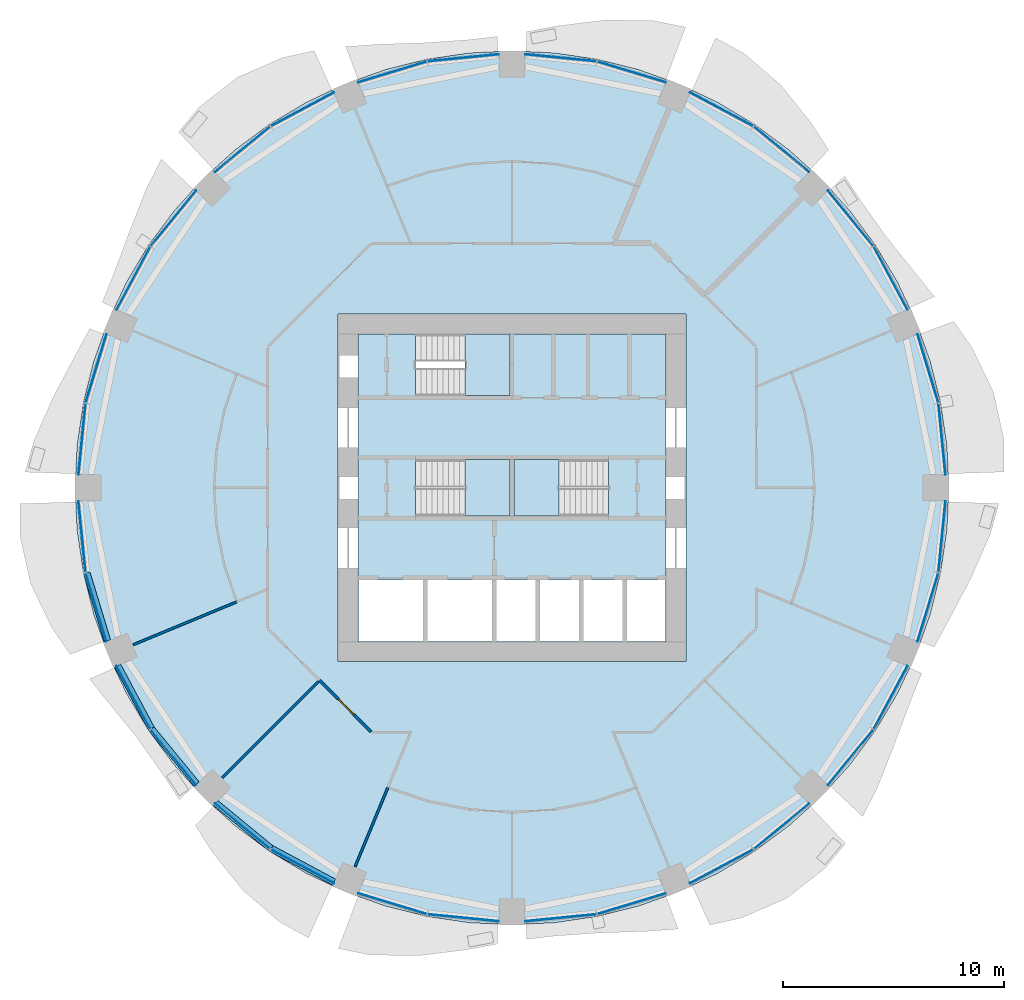
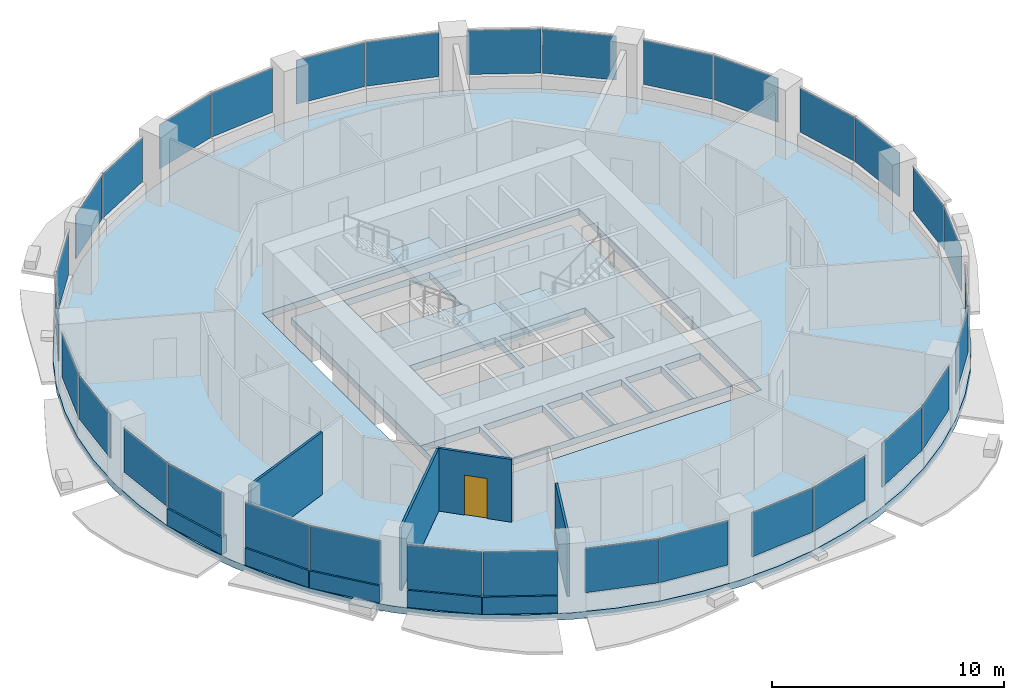
# One storey, part 7 of 15: 32 plates, 9 walls, 5 slabs, 1 door, 1 opening, 19 elements without a shape of their own.
"""IFC4 building model written with IfcOpenShell, lengths in metres."""

from ifc_helpers import new_model, si_unit, direction, frame, frame_2d, origin, origin_2d, place, context, subcontext, project, spatial, polyline, rectangle, outline, extrude, material, layer, layer_set, type_object, element, fill, aggregate, save


model = new_model("IFC4")

# Units and contexts
model_context = context("Model", 3, precision=1e-05, world=origin(), true_north=direction((0.0, 1.0)))
body_context = subcontext(model_context, "Body", "Model", "MODEL_VIEW")
ifc_project = project(units=[si_unit("LENGTHUNIT", "METRE"), si_unit("AREAUNIT", "SQUARE_METRE"), si_unit("VOLUMEUNIT", "CUBIC_METRE"), si_unit("PLANEANGLEUNIT", "RADIAN"), si_unit("MASSUNIT", "GRAM", prefix="KILO")], contexts=[model_context])

# Site, building, storey
site_placement = place(None, origin())
site = spatial("IfcSite", under=ifc_project, at=site_placement, CompositionType="ELEMENT")
building_placement = place(site_placement, origin())
building = spatial("IfcBuilding", under=site, at=building_placement, Name="Polderwave Tower", CompositionType="ELEMENT")
storey_placement = place(building_placement, frame((0.0, 0.0, 29.85009765625)))
storey = spatial("IfcBuildingStorey", under=building, at=storey_placement, Name="L07", CompositionType="ELEMENT", Elevation=29.85009765625)

# Slab
ifc_material_1 = material(Name="Concrete C40/50", Category="concrete")
ifc_layer_1 = layer(ifc_material_1, 0.35009765625)
ifc_layer_set_1 = layer_set([ifc_layer_1], Name="Core floor slab 350")
slab_type_1 = type_object("IfcSlabType", Name="Core floor slab 350", PredefinedType="FLOOR", material=ifc_layer_set_1)
slab_1_placement = place(storey_placement, frame((0.0, 0.0, -0.35009765625)))
element("IfcSlab", 1, at=slab_1_placement, inside=storey, type_object=slab_type_1, Name="L07 core floor", PredefinedType="FLOOR", context=body_context, shape_type="SweptSolid", body=[
    extrude(outline(polyline([(-6.97412109375, -6.97412109375), (6.97412109375, -6.97412109375), (6.97412109375, 6.97412109375), (-6.97412109375, 6.97412109375), (-6.97412109375, -6.97412109375)]), holes=[polyline([(-6.9541015625, -6.9541015625), (-4.037109375, -6.9541015625), (-4.037109375, -4.174072265625), (-6.9541015625, -4.174072265625), (-6.9541015625, -6.9541015625)]), polyline([(-3.8369140625, -6.9541015625), (-0.89990234375, -6.9541015625), (-0.89990234375, -4.174072265625), (-3.8369140625, -4.174072265625), (-3.8369140625, -6.9541015625)]), polyline([(-0.699951171875, -6.9541015625), (1.068603515625, -6.9541015625), (1.068603515625, -4.174072265625), (-0.699951171875, -4.174072265625), (-0.699951171875, -6.9541015625)]), polyline([(1.2685546875, -6.9541015625), (3.037109375, -6.9541015625), (3.037109375, -4.174072265625), (1.2685546875, -4.174072265625), (1.2685546875, -6.9541015625)]), polyline([(3.237060546875, -6.9541015625), (5.005615234375, -6.9541015625), (5.005615234375, -4.174072265625), (3.237060546875, -4.174072265625), (3.237060546875, -6.9541015625)]), polyline([(5.20556640625, -6.9541015625), (6.9541015625, -6.9541015625), (6.9541015625, -4.174072265625), (5.20556640625, -4.174072265625), (5.20556640625, -6.9541015625)]), polyline([(-4.37353515625, -1.2744140625), (-0.1005859375, -1.2744140625), (-0.1005859375, 1.2744140625), (-4.37353515625, 1.2744140625), (-4.37353515625, -1.2744140625)]), polyline([(0.1005859375, -1.2744140625), (4.37353515625, -1.2744140625), (4.37353515625, 1.2744140625), (0.1005859375, 1.2744140625), (0.1005859375, -1.2744140625)]), polyline([(-4.37353515625, 4.174560546875), (-0.1005859375, 4.174560546875), (-0.1005859375, 6.9541015625), (-4.37353515625, 6.9541015625), (-4.37353515625, 4.174560546875)])]), origin(), (0.0, 0.0, 1.0), 0.35009765625),
])

# Curtain wall, plates
ifc_material_2 = material(Name="Aluminium 6063-T6 and glass", Category="aluminium")
curtain_wall_type = type_object("IfcCurtainWallType", Name="Growing floor ribbon glazing wall", PredefinedType="NOTDEFINED", material=ifc_material_2)
curtain_wall_1_placement = place(storey_placement, origin())
curtain_wall_1 = element("IfcCurtainWall", 2, at=curtain_wall_1_placement, inside=storey, type_object=curtain_wall_type, Name="CW2 L07 00", PredefinedType="NOTDEFINED")
ifc_material_3 = material(Name="Glass, low-e laminated double glazing", Category="glass")
ifc_layer_2 = layer(ifc_material_3, 0.028076171875)
ifc_layer_set_2 = layer_set([ifc_layer_2], Name="Growing floor ribbon glazing glass panel 28 mm")
plate_type = type_object("IfcPlateType", Name="Growing floor ribbon glazing glass panel 28 mm", PredefinedType="CURTAIN_PANEL", material=ifc_layer_set_2)
plate_1_placement = place(storey_placement, frame((19.482421875, 2.20654296875, 0.89990234375), z_axis=(0.0, 0.0, 1.0), x_axis=(-0.098197778915, 0.995166918771, 0.0)))
plate_1 = element("IfcPlate", 3, at=plate_1_placement, type_object=plate_type, Name="CW2 panel 1", PredefinedType="CURTAIN_PANEL", context=body_context, shape_type="SweptSolid", body=[
    extrude(rectangle(XDim=3.228759765625, YDim=0.028076171875, at=origin_2d()), origin(), (0.0, 0.0, 1.0), 2.320068359375),
])
plate_2_placement = place(storey_placement, frame((18.843505859375, 5.4169921875, 0.89990234375), z_axis=(0.0, 0.0, 1.0), x_axis=(-0.290246262973, 0.956951987735, 0.0)))
plate_2 = element("IfcPlate", 4, at=plate_2_placement, type_object=plate_type, Name="CW2 panel 2", PredefinedType="CURTAIN_PANEL", context=body_context, shape_type="SweptSolid", body=[
    extrude(rectangle(XDim=3.229248046875, YDim=0.028076171875, at=origin_2d()), origin(), (0.0, 0.0, 1.0), 2.320068359375),
])
aggregate(curtain_wall_1, [plate_1, plate_2])

curtain_wall_2_placement = place(storey_placement, origin())
curtain_wall_2 = element("IfcCurtainWall", 5, at=curtain_wall_2_placement, inside=storey, type_object=curtain_wall_type, Name="CW2 L07 01", PredefinedType="NOTDEFINED")
plate_3_placement = place(storey_placement, frame((17.155029296875, 9.494873046875, 0.89990234375), z_axis=(0.0, 0.0, 1.0), x_axis=(-0.471352098176, 0.881945122752, 0.0)))
plate_3 = element("IfcPlate", 6, at=plate_3_placement, type_object=plate_type, Name="CW2 panel 1", PredefinedType="CURTAIN_PANEL", context=body_context, shape_type="SweptSolid", body=[
    extrude(rectangle(XDim=3.228759765625, YDim=0.028076171875, at=origin_2d()), origin(), (0.0, 0.0, 1.0), 2.320068359375),
])
plate_4_placement = place(storey_placement, frame((15.33642578125, 12.216064453125, 0.89990234375), z_axis=(0.0, 0.0, 1.0), x_axis=(-0.634524143374, 0.772903041445, 0.0)))
plate_4 = element("IfcPlate", 7, at=plate_4_placement, type_object=plate_type, Name="CW2 panel 2", PredefinedType="CURTAIN_PANEL", context=body_context, shape_type="SweptSolid", body=[
    extrude(rectangle(XDim=3.22900390625, YDim=0.028076171875, at=origin_2d()), origin(), (0.0, 0.0, 1.0), 2.320068359375),
])
aggregate(curtain_wall_2, [plate_3, plate_4])

curtain_wall_3_placement = place(storey_placement, origin())
curtain_wall_3 = element("IfcCurtainWall", 8, at=curtain_wall_3_placement, inside=storey, type_object=curtain_wall_type, Name="CW2 L07 02", PredefinedType="NOTDEFINED")
plate_5_placement = place(storey_placement, frame((12.216064453125, 15.33642578125, 0.89990234375), z_axis=(0.0, 0.0, 1.0), x_axis=(-0.772903041445, 0.634524143374, 0.0)))
plate_5 = element("IfcPlate", 9, at=plate_5_placement, type_object=plate_type, Name="CW2 panel 1", PredefinedType="CURTAIN_PANEL", context=body_context, shape_type="SweptSolid", body=[
    extrude(rectangle(XDim=3.22900390625, YDim=0.028076171875, at=origin_2d()), origin(), (0.0, 0.0, 1.0), 2.320068359375),
])
plate_6_placement = place(storey_placement, frame((9.494873046875, 17.155029296875, 0.89990234375), z_axis=(0.0, 0.0, 1.0), x_axis=(-0.881945122752, 0.471352098176, 0.0)))
plate_6 = element("IfcPlate", 10, at=plate_6_placement, type_object=plate_type, Name="CW2 panel 2", PredefinedType="CURTAIN_PANEL", context=body_context, shape_type="SweptSolid", body=[
    extrude(rectangle(XDim=3.228759765625, YDim=0.028076171875, at=origin_2d()), origin(), (0.0, 0.0, 1.0), 2.320068359375),
])
aggregate(curtain_wall_3, [plate_5, plate_6])

curtain_wall_4_placement = place(storey_placement, origin())
curtain_wall_4 = element("IfcCurtainWall", 11, at=curtain_wall_4_placement, inside=storey, type_object=curtain_wall_type, Name="CW2 L07 03", PredefinedType="NOTDEFINED")
plate_7_placement = place(storey_placement, frame((5.4169921875, 18.843505859375, 0.89990234375), z_axis=(0.0, 0.0, 1.0), x_axis=(-0.956951987735, 0.290246262973, 0.0)))
plate_7 = element("IfcPlate", 12, at=plate_7_placement, type_object=plate_type, Name="CW2 panel 1", PredefinedType="CURTAIN_PANEL", context=body_context, shape_type="SweptSolid", body=[
    extrude(rectangle(XDim=3.229248046875, YDim=0.028076171875, at=origin_2d()), origin(), (0.0, 0.0, 1.0), 2.320068359375),
])
plate_8_placement = place(storey_placement, frame((2.20654296875, 19.482421875, 0.89990234375), z_axis=(0.0, 0.0, 1.0), x_axis=(-0.995166918771, 0.098197778915, 0.0)))
plate_8 = element("IfcPlate", 13, at=plate_8_placement, type_object=plate_type, Name="CW2 panel 2", PredefinedType="CURTAIN_PANEL", context=body_context, shape_type="SweptSolid", body=[
    extrude(rectangle(XDim=3.228759765625, YDim=0.028076171875, at=origin_2d()), origin(), (0.0, 0.0, 1.0), 2.320068359375),
])
aggregate(curtain_wall_4, [plate_7, plate_8])

curtain_wall_5_placement = place(storey_placement, origin())
curtain_wall_5 = element("IfcCurtainWall", 14, at=curtain_wall_5_placement, inside=storey, type_object=curtain_wall_type, Name="CW2 L07 04", PredefinedType="NOTDEFINED")
plate_9_placement = place(storey_placement, frame((-2.20654296875, 19.482421875, 0.89990234375), z_axis=(0.0, 0.0, 1.0), x_axis=(-0.995166918771, -0.098197778915, 0.0)))
plate_9 = element("IfcPlate", 15, at=plate_9_placement, type_object=plate_type, Name="CW2 panel 1", PredefinedType="CURTAIN_PANEL", context=body_context, shape_type="SweptSolid", body=[
    extrude(rectangle(XDim=3.228759765625, YDim=0.028076171875, at=origin_2d()), origin(), (0.0, 0.0, 1.0), 2.320068359375),
])
plate_10_placement = place(storey_placement, frame((-5.4169921875, 18.843505859375, 0.89990234375), z_axis=(0.0, 0.0, 1.0), x_axis=(-0.956951987735, -0.290246262973, 0.0)))
plate_10 = element("IfcPlate", 16, at=plate_10_placement, type_object=plate_type, Name="CW2 panel 2", PredefinedType="CURTAIN_PANEL", context=body_context, shape_type="SweptSolid", body=[
    extrude(rectangle(XDim=3.229248046875, YDim=0.028076171875, at=origin_2d()), origin(), (0.0, 0.0, 1.0), 2.320068359375),
])
aggregate(curtain_wall_5, [plate_9, plate_10])

curtain_wall_6_placement = place(storey_placement, origin())
curtain_wall_6 = element("IfcCurtainWall", 17, at=curtain_wall_6_placement, inside=storey, type_object=curtain_wall_type, Name="CW2 L07 05", PredefinedType="NOTDEFINED")
plate_11_placement = place(storey_placement, frame((-9.494873046875, 17.155029296875, 0.89990234375), z_axis=(0.0, 0.0, 1.0), x_axis=(-0.881945122752, -0.471352098176, 0.0)))
plate_11 = element("IfcPlate", 18, at=plate_11_placement, type_object=plate_type, Name="CW2 panel 1", PredefinedType="CURTAIN_PANEL", context=body_context, shape_type="SweptSolid", body=[
    extrude(rectangle(XDim=3.228759765625, YDim=0.028076171875, at=origin_2d()), origin(), (0.0, 0.0, 1.0), 2.320068359375),
])
plate_12_placement = place(storey_placement, frame((-12.216064453125, 15.33642578125, 0.89990234375), z_axis=(0.0, 0.0, 1.0), x_axis=(-0.772903041445, -0.634524143374, 0.0)))
plate_12 = element("IfcPlate", 19, at=plate_12_placement, type_object=plate_type, Name="CW2 panel 2", PredefinedType="CURTAIN_PANEL", context=body_context, shape_type="SweptSolid", body=[
    extrude(rectangle(XDim=3.22900390625, YDim=0.028076171875, at=origin_2d()), origin(), (0.0, 0.0, 1.0), 2.320068359375),
])
aggregate(curtain_wall_6, [plate_11, plate_12])

curtain_wall_7_placement = place(storey_placement, origin())
curtain_wall_7 = element("IfcCurtainWall", 20, at=curtain_wall_7_placement, inside=storey, type_object=curtain_wall_type, Name="CW2 L07 06", PredefinedType="NOTDEFINED")
plate_13_placement = place(storey_placement, frame((-15.33642578125, 12.216064453125, 0.89990234375), z_axis=(0.0, 0.0, 1.0), x_axis=(-0.634524143374, -0.772903041445, 0.0)))
plate_13 = element("IfcPlate", 21, at=plate_13_placement, type_object=plate_type, Name="CW2 panel 1", PredefinedType="CURTAIN_PANEL", context=body_context, shape_type="SweptSolid", body=[
    extrude(rectangle(XDim=3.22900390625, YDim=0.028076171875, at=origin_2d()), origin(), (0.0, 0.0, 1.0), 2.320068359375),
])
plate_14_placement = place(storey_placement, frame((-17.155029296875, 9.494873046875, 0.89990234375), z_axis=(0.0, 0.0, 1.0), x_axis=(-0.471352098176, -0.881945122752, 0.0)))
plate_14 = element("IfcPlate", 22, at=plate_14_placement, type_object=plate_type, Name="CW2 panel 2", PredefinedType="CURTAIN_PANEL", context=body_context, shape_type="SweptSolid", body=[
    extrude(rectangle(XDim=3.228759765625, YDim=0.028076171875, at=origin_2d()), origin(), (0.0, 0.0, 1.0), 2.320068359375),
])
aggregate(curtain_wall_7, [plate_13, plate_14])

curtain_wall_8_placement = place(storey_placement, origin())
curtain_wall_8 = element("IfcCurtainWall", 23, at=curtain_wall_8_placement, inside=storey, type_object=curtain_wall_type, Name="CW2 L07 07", PredefinedType="NOTDEFINED")
plate_15_placement = place(storey_placement, frame((-18.843505859375, 5.4169921875, 0.89990234375), z_axis=(0.0, 0.0, 1.0), x_axis=(-0.290246262973, -0.956951987735, 0.0)))
plate_15 = element("IfcPlate", 24, at=plate_15_placement, type_object=plate_type, Name="CW2 panel 1", PredefinedType="CURTAIN_PANEL", context=body_context, shape_type="SweptSolid", body=[
    extrude(rectangle(XDim=3.229248046875, YDim=0.028076171875, at=origin_2d()), origin(), (0.0, 0.0, 1.0), 2.320068359375),
])
plate_16_placement = place(storey_placement, frame((-19.482421875, 2.20654296875, 0.89990234375), z_axis=(0.0, 0.0, 1.0), x_axis=(-0.098197778915, -0.995166918771, 0.0)))
plate_16 = element("IfcPlate", 25, at=plate_16_placement, type_object=plate_type, Name="CW2 panel 2", PredefinedType="CURTAIN_PANEL", context=body_context, shape_type="SweptSolid", body=[
    extrude(rectangle(XDim=3.228759765625, YDim=0.028076171875, at=origin_2d()), origin(), (0.0, 0.0, 1.0), 2.320068359375),
])
aggregate(curtain_wall_8, [plate_15, plate_16])

curtain_wall_9_placement = place(storey_placement, origin())
curtain_wall_9 = element("IfcCurtainWall", 26, at=curtain_wall_9_placement, inside=storey, type_object=curtain_wall_type, Name="CW2 L07 08", PredefinedType="NOTDEFINED")
plate_17_placement = place(storey_placement, frame((-19.482421875, -2.20654296875, 0.89990234375), z_axis=(0.0, 0.0, 1.0), x_axis=(0.098197778915, -0.995166918771, 0.0)))
plate_17 = element("IfcPlate", 27, at=plate_17_placement, type_object=plate_type, Name="CW2 panel 1", PredefinedType="CURTAIN_PANEL", context=body_context, shape_type="SweptSolid", body=[
    extrude(rectangle(XDim=3.228759765625, YDim=0.028076171875, at=origin_2d()), origin(), (0.0, 0.0, 1.0), 2.320068359375),
])
plate_18_placement = place(storey_placement, frame((-18.843505859375, -5.4169921875, 0.89990234375), z_axis=(0.0, 0.0, 1.0), x_axis=(0.290246262973, -0.956951987735, 0.0)))
plate_18 = element("IfcPlate", 28, at=plate_18_placement, type_object=plate_type, Name="CW2 panel 2", PredefinedType="CURTAIN_PANEL", context=body_context, shape_type="SweptSolid", body=[
    extrude(rectangle(XDim=3.229248046875, YDim=0.028076171875, at=origin_2d()), origin(), (0.0, 0.0, 1.0), 2.320068359375),
])
aggregate(curtain_wall_9, [plate_17, plate_18])

curtain_wall_10_placement = place(storey_placement, origin())
curtain_wall_10 = element("IfcCurtainWall", 29, at=curtain_wall_10_placement, inside=storey, type_object=curtain_wall_type, Name="CW2 L07 09", PredefinedType="NOTDEFINED")
plate_19_placement = place(storey_placement, frame((-17.155029296875, -9.494873046875, 0.89990234375), z_axis=(0.0, 0.0, 1.0), x_axis=(0.471352098176, -0.881945122752, 0.0)))
plate_19 = element("IfcPlate", 30, at=plate_19_placement, type_object=plate_type, Name="CW2 panel 1", PredefinedType="CURTAIN_PANEL", context=body_context, shape_type="SweptSolid", body=[
    extrude(rectangle(XDim=3.228759765625, YDim=0.028076171875, at=origin_2d()), origin(), (0.0, 0.0, 1.0), 2.320068359375),
])
plate_20_placement = place(storey_placement, frame((-15.33642578125, -12.216064453125, 0.89990234375), z_axis=(0.0, 0.0, 1.0), x_axis=(0.634524143374, -0.772903041445, 0.0)))
plate_20 = element("IfcPlate", 31, at=plate_20_placement, type_object=plate_type, Name="CW2 panel 2", PredefinedType="CURTAIN_PANEL", context=body_context, shape_type="SweptSolid", body=[
    extrude(rectangle(XDim=3.22900390625, YDim=0.028076171875, at=origin_2d()), origin(), (0.0, 0.0, 1.0), 2.320068359375),
])
aggregate(curtain_wall_10, [plate_19, plate_20])

curtain_wall_11_placement = place(storey_placement, origin())
curtain_wall_11 = element("IfcCurtainWall", 32, at=curtain_wall_11_placement, inside=storey, type_object=curtain_wall_type, Name="CW2 L07 10", PredefinedType="NOTDEFINED")
plate_21_placement = place(storey_placement, frame((-12.216064453125, -15.33642578125, 0.89990234375), z_axis=(0.0, 0.0, 1.0), x_axis=(0.772903041445, -0.634524143374, 0.0)))
plate_21 = element("IfcPlate", 33, at=plate_21_placement, type_object=plate_type, Name="CW2 panel 1", PredefinedType="CURTAIN_PANEL", context=body_context, shape_type="SweptSolid", body=[
    extrude(rectangle(XDim=3.22900390625, YDim=0.028076171875, at=origin_2d()), origin(), (0.0, 0.0, 1.0), 2.320068359375),
])
plate_22_placement = place(storey_placement, frame((-9.494873046875, -17.155029296875, 0.89990234375), z_axis=(0.0, 0.0, 1.0), x_axis=(0.881945122752, -0.471352098176, 0.0)))
plate_22 = element("IfcPlate", 34, at=plate_22_placement, type_object=plate_type, Name="CW2 panel 2", PredefinedType="CURTAIN_PANEL", context=body_context, shape_type="SweptSolid", body=[
    extrude(rectangle(XDim=3.228759765625, YDim=0.028076171875, at=origin_2d()), origin(), (0.0, 0.0, 1.0), 2.320068359375),
])
aggregate(curtain_wall_11, [plate_21, plate_22])

curtain_wall_12_placement = place(storey_placement, origin())
curtain_wall_12 = element("IfcCurtainWall", 35, at=curtain_wall_12_placement, inside=storey, type_object=curtain_wall_type, Name="CW2 L07 11", PredefinedType="NOTDEFINED")
plate_23_placement = place(storey_placement, frame((-5.4169921875, -18.843505859375, 0.89990234375), z_axis=(0.0, 0.0, 1.0), x_axis=(0.956951987735, -0.290246262973, 0.0)))
plate_23 = element("IfcPlate", 36, at=plate_23_placement, type_object=plate_type, Name="CW2 panel 1", PredefinedType="CURTAIN_PANEL", context=body_context, shape_type="SweptSolid", body=[
    extrude(rectangle(XDim=3.229248046875, YDim=0.028076171875, at=origin_2d()), origin(), (0.0, 0.0, 1.0), 2.320068359375),
])
plate_24_placement = place(storey_placement, frame((-2.20654296875, -19.482421875, 0.89990234375), z_axis=(0.0, 0.0, 1.0), x_axis=(0.995166918771, -0.098197778915, 0.0)))
plate_24 = element("IfcPlate", 37, at=plate_24_placement, type_object=plate_type, Name="CW2 panel 2", PredefinedType="CURTAIN_PANEL", context=body_context, shape_type="SweptSolid", body=[
    extrude(rectangle(XDim=3.228759765625, YDim=0.028076171875, at=origin_2d()), origin(), (0.0, 0.0, 1.0), 2.320068359375),
])
aggregate(curtain_wall_12, [plate_23, plate_24])

curtain_wall_13_placement = place(storey_placement, origin())
curtain_wall_13 = element("IfcCurtainWall", 38, at=curtain_wall_13_placement, inside=storey, type_object=curtain_wall_type, Name="CW2 L07 12", PredefinedType="NOTDEFINED")
plate_25_placement = place(storey_placement, frame((2.20654296875, -19.482421875, 0.89990234375), z_axis=(0.0, 0.0, 1.0), x_axis=(0.995166918771, 0.098197778915, 0.0)))
plate_25 = element("IfcPlate", 39, at=plate_25_placement, type_object=plate_type, Name="CW2 panel 1", PredefinedType="CURTAIN_PANEL", context=body_context, shape_type="SweptSolid", body=[
    extrude(rectangle(XDim=3.228759765625, YDim=0.028076171875, at=origin_2d()), origin(), (0.0, 0.0, 1.0), 2.320068359375),
])
plate_26_placement = place(storey_placement, frame((5.4169921875, -18.843505859375, 0.89990234375), z_axis=(0.0, 0.0, 1.0), x_axis=(0.956951987735, 0.290246262973, 0.0)))
plate_26 = element("IfcPlate", 40, at=plate_26_placement, type_object=plate_type, Name="CW2 panel 2", PredefinedType="CURTAIN_PANEL", context=body_context, shape_type="SweptSolid", body=[
    extrude(rectangle(XDim=3.229248046875, YDim=0.028076171875, at=origin_2d()), origin(), (0.0, 0.0, 1.0), 2.320068359375),
])
aggregate(curtain_wall_13, [plate_25, plate_26])

curtain_wall_14_placement = place(storey_placement, origin())
curtain_wall_14 = element("IfcCurtainWall", 41, at=curtain_wall_14_placement, inside=storey, type_object=curtain_wall_type, Name="CW2 L07 13", PredefinedType="NOTDEFINED")
plate_27_placement = place(storey_placement, frame((9.494873046875, -17.155029296875, 0.89990234375), z_axis=(0.0, 0.0, 1.0), x_axis=(0.881945122752, 0.471352098176, 0.0)))
plate_27 = element("IfcPlate", 42, at=plate_27_placement, type_object=plate_type, Name="CW2 panel 1", PredefinedType="CURTAIN_PANEL", context=body_context, shape_type="SweptSolid", body=[
    extrude(rectangle(XDim=3.228759765625, YDim=0.028076171875, at=origin_2d()), origin(), (0.0, 0.0, 1.0), 2.320068359375),
])
plate_28_placement = place(storey_placement, frame((12.216064453125, -15.33642578125, 0.89990234375), z_axis=(0.0, 0.0, 1.0), x_axis=(0.772903041445, 0.634524143374, 0.0)))
plate_28 = element("IfcPlate", 43, at=plate_28_placement, type_object=plate_type, Name="CW2 panel 2", PredefinedType="CURTAIN_PANEL", context=body_context, shape_type="SweptSolid", body=[
    extrude(rectangle(XDim=3.22900390625, YDim=0.028076171875, at=origin_2d()), origin(), (0.0, 0.0, 1.0), 2.320068359375),
])
aggregate(curtain_wall_14, [plate_27, plate_28])

curtain_wall_15_placement = place(storey_placement, origin())
curtain_wall_15 = element("IfcCurtainWall", 44, at=curtain_wall_15_placement, inside=storey, type_object=curtain_wall_type, Name="CW2 L07 14", PredefinedType="NOTDEFINED")
plate_29_placement = place(storey_placement, frame((15.33642578125, -12.216064453125, 0.89990234375), z_axis=(0.0, 0.0, 1.0), x_axis=(0.634524143374, 0.772903041445, 0.0)))
plate_29 = element("IfcPlate", 45, at=plate_29_placement, type_object=plate_type, Name="CW2 panel 1", PredefinedType="CURTAIN_PANEL", context=body_context, shape_type="SweptSolid", body=[
    extrude(rectangle(XDim=3.22900390625, YDim=0.028076171875, at=origin_2d()), origin(), (0.0, 0.0, 1.0), 2.320068359375),
])
plate_30_placement = place(storey_placement, frame((17.155029296875, -9.494873046875, 0.89990234375), z_axis=(0.0, 0.0, 1.0), x_axis=(0.471352098176, 0.881945122752, 0.0)))
plate_30 = element("IfcPlate", 46, at=plate_30_placement, type_object=plate_type, Name="CW2 panel 2", PredefinedType="CURTAIN_PANEL", context=body_context, shape_type="SweptSolid", body=[
    extrude(rectangle(XDim=3.228759765625, YDim=0.028076171875, at=origin_2d()), origin(), (0.0, 0.0, 1.0), 2.320068359375),
])
aggregate(curtain_wall_15, [plate_29, plate_30])

curtain_wall_16_placement = place(storey_placement, origin())
curtain_wall_16 = element("IfcCurtainWall", 47, at=curtain_wall_16_placement, inside=storey, type_object=curtain_wall_type, Name="CW2 L07 15", PredefinedType="NOTDEFINED")
plate_31_placement = place(storey_placement, frame((18.843505859375, -5.4169921875, 0.89990234375), z_axis=(0.0, 0.0, 1.0), x_axis=(0.290246262973, 0.956951987735, 0.0)))
plate_31 = element("IfcPlate", 48, at=plate_31_placement, type_object=plate_type, Name="CW2 panel 1", PredefinedType="CURTAIN_PANEL", context=body_context, shape_type="SweptSolid", body=[
    extrude(rectangle(XDim=3.229248046875, YDim=0.028076171875, at=origin_2d()), origin(), (0.0, 0.0, 1.0), 2.320068359375),
])
plate_32_placement = place(storey_placement, frame((19.482421875, -2.20654296875, 0.89990234375), z_axis=(0.0, 0.0, 1.0), x_axis=(0.098197778915, 0.995166918771, 0.0)))
plate_32 = element("IfcPlate", 49, at=plate_32_placement, type_object=plate_type, Name="CW2 panel 2", PredefinedType="CURTAIN_PANEL", context=body_context, shape_type="SweptSolid", body=[
    extrude(rectangle(XDim=3.228759765625, YDim=0.028076171875, at=origin_2d()), origin(), (0.0, 0.0, 1.0), 2.320068359375),
])
aggregate(curtain_wall_16, [plate_31, plate_32])

# Slab
ifc_layer_3 = layer(ifc_material_1, 0.35009765625)
ifc_layer_set_3 = layer_set([ifc_layer_3], Name="PT FLOOR SLAB 350 C40/50")
slab_type_2 = type_object("IfcSlabType", Name="PT FLOOR SLAB 350 C40/50", PredefinedType="FLOOR", material=ifc_layer_set_3)
slab_2_placement = place(storey_placement, frame((0.0, 0.0, -0.35009765625)))
element("IfcSlab", 50, at=slab_2_placement, inside=storey, type_object=slab_type_2, Name="ST-SLAB-L07", PredefinedType="FLOOR", context=body_context, shape_type="SweptSolid", body=[
    extrude(outline(polyline([(19.800048828125, 0.0), (19.70458984375, 1.940673828125), (19.41943359375, 3.86279296875), (18.947509765625, 5.74755859375), (18.292724609375, 7.5771484375), (17.4619140625, 9.333740234375), (16.463134765625, 11.000244140625), (15.3056640625, 12.56103515625), (14.000732421875, 14.000732421875), (12.56103515625, 15.3056640625), (11.000244140625, 16.463134765625), (9.333740234375, 17.4619140625), (7.5771484375, 18.292724609375), (5.74755859375, 18.947509765625), (3.86279296875, 19.41943359375), (1.940673828125, 19.70458984375), (0.0, 19.800048828125), (-1.940673828125, 19.70458984375), (-3.86279296875, 19.41943359375), (-5.74755859375, 18.947509765625), (-7.5771484375, 18.292724609375), (-9.333740234375, 17.4619140625), (-11.000244140625, 16.463134765625), (-12.56103515625, 15.3056640625), (-14.000732421875, 14.000732421875), (-15.3056640625, 12.56103515625), (-16.463134765625, 11.000244140625), (-17.4619140625, 9.333740234375), (-18.292724609375, 7.5771484375), (-18.947509765625, 5.74755859375), (-19.41943359375, 3.86279296875), (-19.70458984375, 1.940673828125), (-19.800048828125, 0.0), (-19.70458984375, -1.940673828125), (-19.41943359375, -3.86279296875), (-18.947509765625, -5.74755859375), (-18.292724609375, -7.5771484375), (-17.4619140625, -9.333740234375), (-16.463134765625, -11.000244140625), (-15.3056640625, -12.56103515625), (-14.000732421875, -14.000732421875), (-12.56103515625, -15.3056640625), (-11.000244140625, -16.463134765625), (-9.333740234375, -17.4619140625), (-7.5771484375, -18.292724609375), (-5.74755859375, -18.947509765625), (-3.86279296875, -19.41943359375), (-1.940673828125, -19.70458984375), (0.0, -19.800048828125), (1.940673828125, -19.70458984375), (3.86279296875, -19.41943359375), (5.74755859375, -18.947509765625), (7.5771484375, -18.292724609375), (9.333740234375, -17.4619140625), (11.000244140625, -16.463134765625), (12.56103515625, -15.3056640625), (14.000732421875, -14.000732421875), (15.3056640625, -12.56103515625), (16.463134765625, -11.000244140625), (17.4619140625, -9.333740234375), (18.292724609375, -7.5771484375), (18.947509765625, -5.74755859375), (19.41943359375, -3.86279296875), (19.70458984375, -1.940673828125), (19.800048828125, 0.0)]), holes=[polyline([(-7.8740234375, -7.8740234375), (7.8740234375, -7.8740234375), (7.8740234375, 7.8740234375), (-7.8740234375, 7.8740234375), (-7.8740234375, -7.8740234375)])]), origin(), (0.0, 0.0, 1.0), 0.35009765625),
])

# Stair, slab
stair_type = type_object("IfcStairType", Name="Exit stair 1200 x 20 risers", PredefinedType="HALF_TURN_STAIR", material=ifc_material_1)
stair_1_placement = place(storey_placement, origin())
stair_1 = element("IfcStair", 51, at=stair_1_placement, inside=storey, type_object=stair_type, Name="L07 Exit stair A", PredefinedType="HALF_TURN_STAIR")
ifc_layer_4 = layer(ifc_material_1, 0.300048828125)
ifc_layer_set_4 = layer_set([ifc_layer_4], Name="Stair landing 300")
slab_type_3 = type_object("IfcSlabType", Name="Stair landing 300", PredefinedType="LANDING", material=ifc_layer_set_4)
slab_3_placement = place(storey_placement, frame((0.0, 0.0, 1.52490234375)))
slab_3 = element("IfcSlab", 52, at=slab_3_placement, type_object=slab_type_3, Name="ST-A landing 1", PredefinedType="LANDING", context=body_context, shape_type="SweptSolid", body=[
    extrude(outline(polyline([(-2.1240234375, -1.27490234375), (-0.10009765625, -1.27490234375), (-0.10009765625, 1.27490234375), (-2.1240234375, 1.27490234375), (-2.1240234375, -1.27490234375)])), origin(), (0.0, 0.0, 1.0), 0.300048828125),
])
aggregate(stair_1, [slab_3])

stair_2_placement = place(storey_placement, origin())
stair_2 = element("IfcStair", 53, at=stair_2_placement, inside=storey, type_object=stair_type, Name="L07 Exit stair B", PredefinedType="HALF_TURN_STAIR")
slab_4_placement = place(storey_placement, frame((0.0, 0.0, 1.52490234375)))
slab_4 = element("IfcSlab", 54, at=slab_4_placement, type_object=slab_type_3, Name="ST-B landing 1", PredefinedType="LANDING", context=body_context, shape_type="SweptSolid", body=[
    extrude(outline(polyline([(2.1240234375, 1.27490234375), (0.10009765625, 1.27490234375), (0.10009765625, -1.27490234375), (2.1240234375, -1.27490234375), (2.1240234375, 1.27490234375)])), origin(), (0.0, 0.0, 1.0), 0.300048828125),
])
aggregate(stair_2, [slab_4])

stair_3_placement = place(storey_placement, origin())
stair_3 = element("IfcStair", 55, at=stair_3_placement, inside=storey, type_object=stair_type, Name="L07 Exit stair C", PredefinedType="HALF_TURN_STAIR")
slab_5_placement = place(storey_placement, frame((0.0, 0.0, 1.52490234375)))
slab_5 = element("IfcSlab", 56, at=slab_5_placement, type_object=slab_type_3, Name="ST-C landing 1", PredefinedType="LANDING", context=body_context, shape_type="SweptSolid", body=[
    extrude(outline(polyline([(-2.1240234375, 4.174072265625), (-0.10009765625, 4.174072265625), (-0.10009765625, 6.97412109375), (-2.1240234375, 6.97412109375), (-2.1240234375, 4.174072265625)])), origin(), (0.0, 0.0, 1.0), 0.300048828125),
])
aggregate(stair_3, [slab_5])

# Walls
ifc_material_4 = material(Name="Concrete C50/60 (board-marked)", Category="concrete")
ifc_layer_5 = layer(ifc_material_4, 0.300048828125)
ifc_layer_set_5 = layer_set([ifc_layer_5], Name="Concrete spandrel upstand C50/60")
wall_type_1 = type_object("IfcWallType", Name="Concrete spandrel upstand C50/60", PredefinedType="SOLIDWALL", material=ifc_layer_set_5)
wall_1_placement = place(storey_placement, frame((-19.267578125, -3.847412109375, 0.0), z_axis=(0.0, 0.0, 1.0), x_axis=(0.290301899131, -0.956935111364, 0.0)))
element("IfcWall", 57, at=wall_1_placement, inside=storey, type_object=wall_type_1, Name="Spandrel L07 9b", PredefinedType="SOLIDWALL", context=body_context, shape_type="SweptSolid", body=[
    extrude(rectangle(XDim=3.220947265625, YDim=0.300048828125, at=frame_2d((1.6103515625, 0.0))), origin(), (0.0, 0.0, 1.0), 0.89990234375),
])
wall_2_placement = place(storey_placement, frame((-17.86279296875, -8.063232421875, 0.0), z_axis=(0.0, 0.0, 1.0), x_axis=(0.471217656413, -0.882016961449, 0.0)))
element("IfcWall", 58, at=wall_2_placement, inside=storey, type_object=wall_type_1, Name="Spandrel L07 10a", PredefinedType="SOLIDWALL", context=body_context, shape_type="SweptSolid", body=[
    extrude(rectangle(XDim=3.220458984375, YDim=0.300048828125, at=frame_2d((1.6103515625, 0.0))), origin(), (0.0, 0.0, 1.0), 0.89990234375),
])
for number, where, z_axis, x_axis, name in (
    (59, (-16.32861328125, -10.9287109375, 0.0), (0.0, 0.0, 1.0), (0.634380496993, -0.773020947345, 0.0), "Spandrel L07 10b"),
    (60, (-13.41845703125, -14.285400390625, 0.0), (0.0, 0.0, 1.0), (0.773020947345, -0.634380496993, 0.0), "Spandrel L07 11a"),
):
    element("IfcWall", number, at=place(storey_placement, frame(where, z_axis=z_axis, x_axis=x_axis)), inside=storey, type_object=wall_type_1, Name=name, PredefinedType="SOLIDWALL", context=body_context, shape_type="SweptSolid", body=[
        extrude(rectangle(XDim=3.220703125, YDim=0.300048828125, at=frame_2d((1.6103515625, 0.0))), origin(), (0.0, 0.0, 1.0), 0.89990234375),
    ])
wall_3_placement = place(storey_placement, frame((-10.90380859375, -16.34521484375, 0.0), z_axis=(0.0, 0.0, 1.0), x_axis=(0.882016961449, -0.471217656413, 0.0)))
element("IfcWall", 61, at=wall_3_placement, inside=storey, type_object=wall_type_1, Name="Spandrel L07 11b", PredefinedType="SOLIDWALL", context=body_context, shape_type="SweptSolid", body=[
    extrude(rectangle(XDim=3.220458984375, YDim=0.300048828125, at=frame_2d((1.6103515625, 0.0))), origin(), (0.0, 0.0, 1.0), 0.89990234375),
])

# Wall, opening, door
ifc_material_5 = material(Name="Fire-resisting board on steel studs", Category="steel")
ifc_layer_6 = layer(ifc_material_5, 0.125)
ifc_layer_set_6 = layer_set([ifc_layer_6], Name="Corridor wall 125 mm EI 60")
wall_type_2 = type_object("IfcWallType", Name="Corridor wall 125 mm EI 60", PredefinedType="PARTITIONING", material=ifc_layer_set_6)
wall_4_placement = place(storey_placement, frame((-6.389404296875, -11.0556640625, 0.0), z_axis=(0.0, 0.0, 1.0), x_axis=(-0.707069784102, 0.707143776336, 0.0)))
wall_4 = element("IfcWall", 62, at=wall_4_placement, inside=storey, type_object=wall_type_2, Name="IN-L07-W018", PredefinedType="PARTITIONING", context=body_context, shape_type="SweptSolid", body=[
    extrude(rectangle(XDim=3.299560546875, YDim=0.125, at=frame_2d((1.64990234375, 0.0))), origin(), (0.0, 0.0, 1.0), 3.2998046875),
])
opening_placement = place(wall_4_placement, frame((1.10009765625, 0.0, 0.0)))
opening = element("IfcOpeningElement", 63, at=opening_placement, cuts=wall_4, Name="Opening L07-D60", PredefinedType="OPENING", context=body_context, shape_type="SweptSolid", body=[
    extrude(rectangle(XDim=1.0, YDim=2.10009765625, at=frame_2d((0.5, 1.050048828125))), frame((0.0, 0.072509765625, 0.0), z_axis=(0.0, -1.0, 0.0), x_axis=(1.0, 0.0, 0.0)), (0.0, 0.0, 1.0), 0.14501953125),
])
ifc_material_6 = material(Name="Timber fire door leaf", Category="wood")
door_type = type_object("IfcDoorType", Name="Fire door FD30S 1000 x 2100", OperationType="NOTDEFINED", PredefinedType="DOOR", material=ifc_material_6)
door_placement = place(opening_placement, origin())
door = element("IfcDoor", 64, at=door_placement, inside=storey, type_object=door_type, Name="Door L07-D60", OperationType="SINGLE_SWING_LEFT", OverallHeight=2.10009765625, OverallWidth=1.0, PredefinedType="DOOR", context=body_context, shape_type="SweptSolid", body=[
    extrude(rectangle(XDim=1.0, YDim=2.10009765625, at=frame_2d((0.5, 1.050048828125))), frame((0.0, 0.02490234375, 0.0), z_axis=(0.0, -1.0, 0.0), x_axis=(1.0, 0.0, 0.0)), (0.0, 0.0, 1.0), 0.050048828125),
])
fill(opening, door)

# Walls
ifc_material_7 = material(Name="Acoustic double plasterboard on steel studs", Category="steel")
ifc_layer_7 = layer(ifc_material_7, 0.110107421875)
ifc_layer_set_7 = layer_set([ifc_layer_7], Name="Partition 110 mm acoustic double board")
wall_type_3 = type_object("IfcWallType", Name="Partition 110 mm acoustic double board", PredefinedType="PARTITIONING", material=ifc_layer_set_7)
wall_5_placement = place(storey_placement, frame((-12.472412109375, -5.166259765625, 0.0), z_axis=(0.0, 0.0, 1.0), x_axis=(-0.923881258966, -0.382679264308, 0.0)))
element("IfcWall", 65, at=wall_5_placement, inside=storey, type_object=wall_type_3, Name="IN-L07-W053", PredefinedType="PARTITIONING", context=body_context, shape_type="SweptSolid", body=[
    extrude(rectangle(XDim=5.070068359375, YDim=0.110107421875, at=frame_2d((2.53515625, 0.0))), origin(), (0.0, 0.0, 1.0), 3.2998046875),
])
wall_6_placement = place(storey_placement, frame((-13.131103515625, -13.131103515625, 0.0), z_axis=(0.0, 0.0, 1.0), x_axis=(0.707106781187, 0.707106781187, 0.0)))
element("IfcWall", 66, at=wall_6_placement, inside=storey, type_object=wall_type_3, Name="IN-L07-W055", PredefinedType="PARTITIONING", context=body_context, shape_type="SweptSolid", body=[
    extrude(rectangle(XDim=6.17236328125, YDim=0.110107421875, at=frame_2d((3.086181640625, 0.0))), origin(), (0.0, 0.0, 1.0), 3.2998046875),
])
wall_7_placement = place(storey_placement, frame((-5.62548828125, -13.5810546875, 0.0), z_axis=(0.0, 0.0, 1.0), x_axis=(-0.382674944996, -0.923883048049, 0.0)))
element("IfcWall", 67, at=wall_7_placement, inside=storey, type_object=wall_type_3, Name="IN-L07-W056", PredefinedType="PARTITIONING", context=body_context, shape_type="SweptSolid", body=[
    extrude(rectangle(XDim=3.8701171875, YDim=0.110107421875, at=frame_2d((1.93505859375, 0.0))), origin(), (0.0, 0.0, 1.0), 3.2998046875),
])

save(model, "model.ifc")
